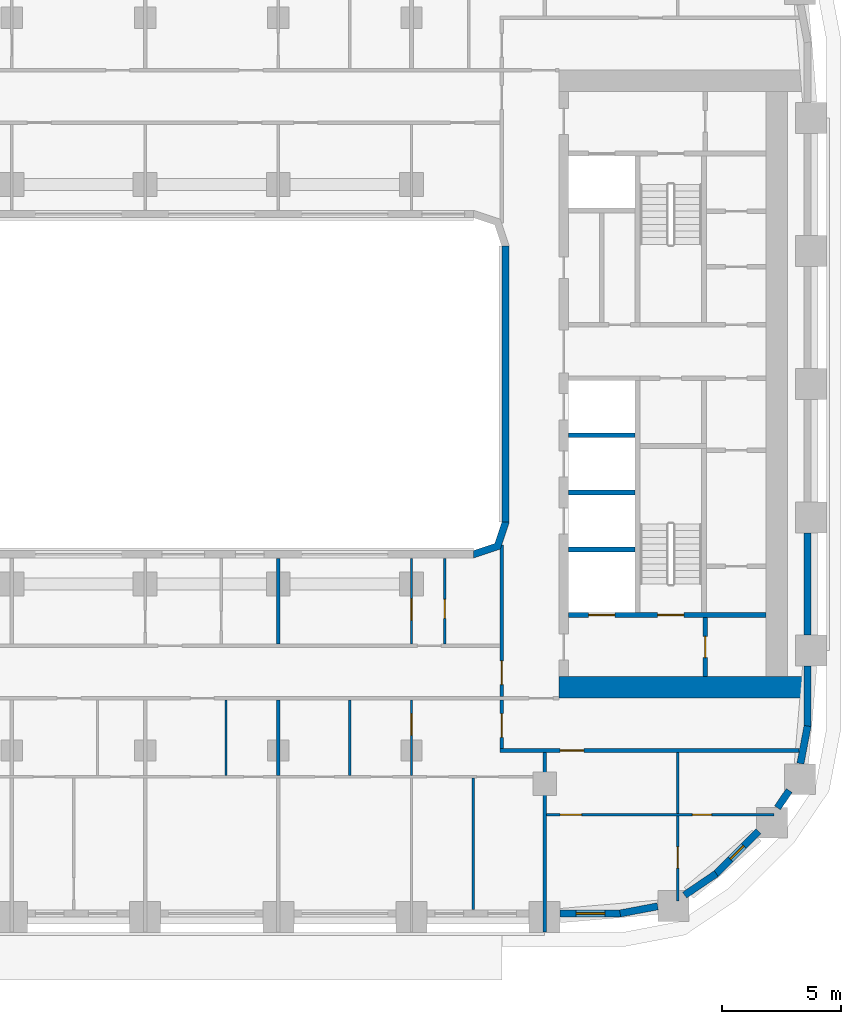
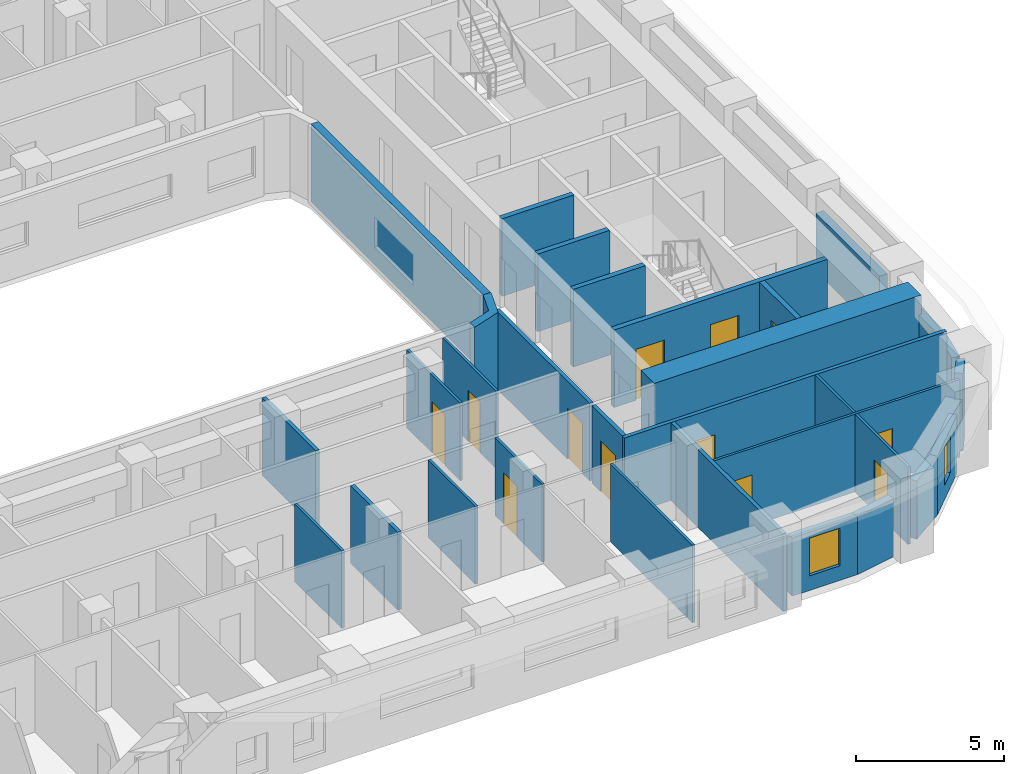
# One storey, part 6 of 22: 31 walls, 12 doors, 2 windows, 14 openings.
"""IFC4 building model written with IfcOpenShell, lengths in metres."""

from ifc_helpers import new_model, si_unit, direction, frame, frame_2d, origin, place, context, subcontext, project, spatial, polyline, rectangle, outline, extrude, material, layer, layer_set, type_object, element, fill, save


model = new_model("IFC4")

# Units and contexts
model_context = context("Model", 3, precision=1e-05, world=origin(), true_north=direction((0.0, 1.0)))
body_context = subcontext(model_context, "Body", "Model", "MODEL_VIEW")
ifc_project = project(units=[si_unit("LENGTHUNIT", "METRE"), si_unit("AREAUNIT", "SQUARE_METRE"), si_unit("VOLUMEUNIT", "CUBIC_METRE"), si_unit("PLANEANGLEUNIT", "RADIAN"), si_unit("MASSUNIT", "GRAM", prefix="KILO")], contexts=[model_context])

# Site, building, storey
site_placement = place(None, origin())
site = spatial("IfcSite", under=ifc_project, at=site_placement, CompositionType="ELEMENT")
building_placement = place(site_placement, origin())
building = spatial("IfcBuilding", under=site, at=building_placement, Name="Kiln Ring Residences", CompositionType="ELEMENT")
storey_placement = place(building_placement, frame((0.0, 0.0, 90.300048828125)))
storey = spatial("IfcBuildingStorey", under=building, at=storey_placement, Name="L22", CompositionType="ELEMENT", Elevation=90.300048828125)

# Wall, opening, door
ifc_material_1 = material(Name="Gypsum board on steel studs", Category="steel")
ifc_layer_1 = layer(ifc_material_1, 0.199951171875)
ifc_layer_set_1 = layer_set([ifc_layer_1], Name="CORE-PARTITION-200")
wall_type_1 = type_object("IfcWallType", Name="CORE-PARTITION-200", PredefinedType="PARTITIONING", material=ifc_layer_set_1)
wall_1_placement = place(storey_placement, frame((23.550048828125, -12.300048828125, 0.0), z_axis=(0.0, 0.0, 1.0), x_axis=(0.0, 1.0, 0.0)))
wall_1 = element("IfcWall", 1, at=wall_1_placement, inside=storey, type_object=wall_type_1, Name="Core partition east L22 5", PredefinedType="PARTITIONING", context=body_context, shape_type="SweptSolid", body=[
    extrude(rectangle(XDim=2.5, YDim=0.199951171875, at=frame_2d((1.25, 0.0))), origin(), (0.0, 0.0, 1.0), 3.199951171875),
])
opening_1_placement = place(wall_1_placement, frame((0.800048828125, 0.0, 0.0)))
opening_1 = element("IfcOpeningElement", 2, at=opening_1_placement, cuts=wall_1, Name="Opening L22-CE11", PredefinedType="OPENING", context=body_context, shape_type="SweptSolid", body=[
    extrude(rectangle(XDim=0.89990234375, YDim=2.10009765625, at=frame_2d((0.449951171875, 1.050048828125))), frame((0.0, 0.10986328125, 0.0), z_axis=(0.0, -1.0, 0.0), x_axis=(1.0, 0.0, 0.0)), (0.0, 0.0, 1.0), 0.219970703125),
])
ifc_material_2 = material(Name="Steel door leaf", Category="steel")
door_type_1 = type_object("IfcDoorType", Name="CORE-DOOR-ROOM", OperationType="SINGLE_SWING_LEFT", PredefinedType="DOOR", material=ifc_material_2)
door_1_placement = place(opening_1_placement, origin())
door_1 = element("IfcDoor", 3, at=door_1_placement, inside=storey, type_object=door_type_1, Name="Store L22-CE11", OperationType="SINGLE_SWING_RIGHT", OverallHeight=2.10009765625, OverallWidth=0.89990234375, PredefinedType="DOOR", context=body_context, shape_type="SweptSolid", body=[
    extrude(rectangle(XDim=0.89990234375, YDim=2.10009765625, at=frame_2d((0.449951171875, 1.050048828125))), frame((0.0, 0.02490234375, 0.0), z_axis=(0.0, -1.0, 0.0), x_axis=(1.0, 0.0, 0.0)), (0.0, 0.0, 1.0), 0.050048828125),
])
fill(opening_1, door_1)

# Walls
ifc_material_3 = material(Name="Gypsum shaft wall system")
ifc_layer_2 = layer(ifc_material_3, 0.199951171875)
ifc_layer_set_2 = layer_set([ifc_layer_2], Name="CORE-SHAFT-WALL-200")
wall_type_2 = type_object("IfcWallType", Name="CORE-SHAFT-WALL-200", PredefinedType="PARTITIONING", material=ifc_layer_set_2)
for number, where, z_axis, x_axis, name in (
    (4, (17.800048828125, -6.949951171875, 0.0), (0.0, 0.0, 1.0), (1.0, 0.0, 0.0), "Core partition east L22 10"),
    (5, (17.800048828125, -4.550048828125, 0.0), (0.0, 0.0, 1.0), (1.0, 0.0, 0.0), "Core partition east L22 11"),
    (6, (17.800048828125, -2.14990234375, 0.0), (0.0, 0.0, 1.0), (1.0, 0.0, 0.0), "Core partition east L22 12"),
):
    element("IfcWall", number, at=place(storey_placement, frame(where, z_axis=z_axis, x_axis=x_axis)), inside=storey, type_object=wall_type_2, Name=name, PredefinedType="PARTITIONING", context=body_context, shape_type="SweptSolid", body=[
        extrude(rectangle(XDim=2.800048828125, YDim=0.199951171875, at=frame_2d((1.39990234375, 0.0))), origin(), (0.0, 0.0, 1.0), 3.199951171875),
    ])

# Wall, openings, doors
ifc_material_4 = material(Name="Concrete C40/50", Category="concrete")
ifc_layer_3 = layer(ifc_material_4, 0.199951171875)
ifc_layer_set_3 = layer_set([ifc_layer_3], Name="CORE-WALL-RC200")
wall_type_3 = type_object("IfcWallType", Name="CORE-WALL-RC200", PredefinedType="SHEAR", material=ifc_layer_set_3)
wall_2_placement = place(storey_placement, frame((17.800048828125, -9.699951171875, 0.0), z_axis=(0.0, 0.0, 1.0), x_axis=(1.0, 0.0, 0.0)))
wall_2 = element("IfcWall", 7, at=wall_2_placement, inside=storey, type_object=wall_type_3, Name="Core wall east L22 8", PredefinedType="SHEAR", context=body_context, shape_type="SweptSolid", body=[
    extrude(rectangle(XDim=8.300048828125, YDim=0.199951171875, at=frame_2d((4.14990234375, 0.0))), origin(), (0.0, 0.0, 1.0), 3.199951171875),
])
opening_2_placement = place(wall_2_placement, frame((0.85009765625, 0.0, 0.0)))
opening_2 = element("IfcOpeningElement", 8, at=opening_2_placement, cuts=wall_2, Name="Opening L22-CE01", PredefinedType="OPENING", context=body_context, shape_type="SweptSolid", body=[
    extrude(rectangle(XDim=1.10009765625, YDim=2.10009765625, at=frame_2d((0.550048828125, 1.050048828125))), frame((0.0, 0.10986328125, 0.0), z_axis=(0.0, -1.0, 0.0), x_axis=(1.0, 0.0, 0.0)), (0.0, 0.0, 1.0), 0.219970703125),
])
opening_3_placement = place(wall_2_placement, frame((3.75, 0.0, 0.0)))
opening_3 = element("IfcOpeningElement", 9, at=opening_3_placement, cuts=wall_2, Name="Opening L22-CE13", PredefinedType="OPENING", context=body_context, shape_type="SweptSolid", body=[
    extrude(rectangle(XDim=1.10009765625, YDim=2.10009765625, at=frame_2d((0.550048828125, 1.050048828125))), frame((0.0, 0.10986328125, 0.0), z_axis=(0.0, -1.0, 0.0), x_axis=(1.0, 0.0, 0.0)), (0.0, 0.0, 1.0), 0.219970703125),
])
ifc_material_5 = material(Name="Steel door leaf", Category="steel")
door_type_2 = type_object("IfcDoorType", Name="CORE-DOOR-LD", OperationType="DOUBLE_DOOR_SLIDING", PredefinedType="DOOR", material=ifc_material_5)
door_2_placement = place(opening_2_placement, origin())
door_2 = element("IfcDoor", 10, at=door_2_placement, inside=storey, type_object=door_type_2, Name="LD E-SV L22-CE01", OperationType="DOUBLE_DOOR_SLIDING", OverallHeight=2.10009765625, OverallWidth=1.10009765625, PredefinedType="DOOR", context=body_context, shape_type="SweptSolid", body=[
    extrude(rectangle(XDim=1.10009765625, YDim=2.10009765625, at=frame_2d((0.550048828125, 1.050048828125))), frame((0.0, 0.02490234375, 0.0), z_axis=(0.0, -1.0, 0.0), x_axis=(1.0, 0.0, 0.0)), (0.0, 0.0, 1.0), 0.050048828125),
])
fill(opening_2, door_2)
ifc_material_6 = material(Name="Steel door leaf", Category="steel")
door_type_3 = type_object("IfcDoorType", Name="CORE-DOOR-STAIR", OperationType="SINGLE_SWING_LEFT", PredefinedType="DOOR", material=ifc_material_6)
door_3_placement = place(opening_3_placement, origin())
door_3 = element("IfcDoor", 11, at=door_3_placement, inside=storey, type_object=door_type_3, Name="Stair E-STS L22-CE13", OperationType="SINGLE_SWING_LEFT", OverallHeight=2.10009765625, OverallWidth=1.10009765625, PredefinedType="DOOR", context=body_context, shape_type="SweptSolid", body=[
    extrude(rectangle(XDim=1.10009765625, YDim=2.10009765625, at=frame_2d((0.550048828125, 1.050048828125))), frame((0.0, 0.02490234375, 0.0), z_axis=(0.0, -1.0, 0.0), x_axis=(1.0, 0.0, 0.0)), (0.0, 0.0, 1.0), 0.050048828125),
])
fill(opening_3, door_3)

# Wall
ifc_material_7 = material(Name="Concrete C60/75", Category="concrete")
ifc_layer_4 = layer(ifc_material_7, 0.89990234375)
ifc_layer_set_4 = layer_set([ifc_layer_4], Name="CORE-WALL-RC900")
wall_type_4 = type_object("IfcWallType", Name="CORE-WALL-RC900", PredefinedType="SHEAR", material=ifc_layer_set_4)
wall_3_placement = place(storey_placement, frame((17.39990234375, -12.75, 0.0), z_axis=(0.0, 0.0, 1.0), x_axis=(1.0, 0.0, 0.0)))
element("IfcWall", 12, at=wall_3_placement, inside=storey, type_object=wall_type_4, Name="Core wall east L22 5", PredefinedType="SHEAR", context=body_context, shape_type="SweptSolid", body=[
    extrude(rectangle(XDim=10.400146484375, YDim=0.89990234375, at=frame_2d((5.2001953125, 0.0))), origin(), (0.0, 0.0, 1.0), 3.199951171875),
])

# Wall, opening, window
ifc_material_8 = material(Name="Brick masonry, dark clay brick", Category="masonry")
ifc_layer_5 = layer(ifc_material_8, 0.300048828125)
ifc_layer_set_5 = layer_set([ifc_layer_5], Name="EW-300 BRICK WALL")
wall_type_5 = type_object("IfcWallType", Name="EW-300 BRICK WALL", PredefinedType="SOLIDWALL", material=ifc_layer_set_5)
wall_4_placement = place(storey_placement, frame((17.449951171875, -22.25, 0.0), z_axis=(0.0, 0.0, 1.0), x_axis=(1.0, 0.0, 0.0)))
wall_4 = element("IfcWall", 13, at=wall_4_placement, inside=storey, type_object=wall_type_5, Name="Facade wall L22 11", PredefinedType="SOLIDWALL", context=body_context, shape_type="SweptSolid", body=[
    extrude(rectangle(XDim=2.550048828125, YDim=0.300048828125, at=frame_2d((1.27490234375, 0.0))), origin(), (0.0, 0.0, 1.0), 2.39990234375),
])
opening_4_placement = place(wall_4_placement, frame((0.675048828125, 0.0, 0.60009765625)))
opening_4 = element("IfcOpeningElement", 14, at=opening_4_placement, cuts=wall_4, Name="Opening W1", PredefinedType="OPENING", context=body_context, shape_type="SweptSolid", body=[
    extrude(rectangle(XDim=1.199951171875, YDim=1.550048828125, at=frame_2d((0.60009765625, 0.77490234375))), frame((0.0, 0.159912109375, 0.0), z_axis=(0.0, -1.0, 0.0), x_axis=(1.0, 0.0, 0.0)), (0.0, 0.0, 1.0), 0.320068359375),
])
ifc_material_9 = material(Name="Aluminium frame with double glazing", Category="aluminium")
window_type_1 = type_object("IfcWindowType", Name="WINDOW 1200 x 1550", PartitioningType="SINGLE_PANEL", PredefinedType="WINDOW", material=ifc_material_9)
window_1_placement = place(opening_4_placement, origin())
window_1 = element("IfcWindow", 15, at=window_1_placement, inside=storey, type_object=window_type_1, Name="Window L22 13", OverallHeight=1.550048828125, OverallWidth=1.199951171875, PartitioningType="SINGLE_PANEL", PredefinedType="WINDOW", context=body_context, shape_type="SweptSolid", body=[
    extrude(rectangle(XDim=1.199951171875, YDim=1.550048828125, at=frame_2d((0.60009765625, 0.77490234375))), frame((0.0, 0.030029296875, 0.0), z_axis=(0.0, -1.0, 0.0), x_axis=(1.0, 0.0, 0.0)), (0.0, 0.0, 1.0), 0.06005859375),
])
fill(opening_4, window_1)

# Walls
for number, where, z_axis, x_axis, name in (
    (16, (19.971923828125, -22.252685546875, 0.0), (0.0, 0.0, 1.0), (0.982278644094, 0.187426426519, 0.0), "Facade wall L22 12"),
    (17, (22.684326171875, -21.481689453125, 0.0), (0.0, 0.0, 1.0), (0.82705935865, 0.562114594429, 0.0), "Facade wall L22 13"),
):
    element("IfcWall", number, at=place(storey_placement, frame(where, z_axis=z_axis, x_axis=x_axis)), inside=storey, type_object=wall_type_5, Name=name, PredefinedType="SOLIDWALL", context=body_context, shape_type="SweptSolid", body=[
        extrude(rectangle(XDim=1.606201171875, YDim=0.300048828125, at=frame_2d((0.80322265625, 0.0))), origin(), (0.0, 0.0, 1.0), 2.39990234375),
    ])

# Wall, opening, window
wall_5_placement = place(storey_placement, frame((23.990966796875, -20.596923828125, 0.0), z_axis=(0.0, 0.0, 1.0), x_axis=(0.707106781187, 0.707106781187, 0.0)))
wall_5 = element("IfcWall", 18, at=wall_5_placement, inside=storey, type_object=wall_type_5, Name="Facade wall L22 14", PredefinedType="SOLIDWALL", context=body_context, shape_type="SweptSolid", body=[
    extrude(rectangle(XDim=2.550048828125, YDim=0.300048828125, at=frame_2d((1.27490234375, 0.0))), origin(), (0.0, 0.0, 1.0), 2.39990234375),
])
opening_5_placement = place(wall_5_placement, frame((0.875, 0.0, 0.60009765625)))
opening_5 = element("IfcOpeningElement", 19, at=opening_5_placement, cuts=wall_5, Name="Opening W5", PredefinedType="OPENING", context=body_context, shape_type="SweptSolid", body=[
    extrude(rectangle(XDim=0.800048828125, YDim=1.550048828125, at=frame_2d((0.39990234375, 0.77490234375))), frame((0.0, 0.159912109375, 0.0), z_axis=(0.0, -1.0, 0.0), x_axis=(1.0, 0.0, 0.0)), (0.0, 0.0, 1.0), 0.320068359375),
])
ifc_material_10 = material(Name="Aluminium frame with double glazing", Category="aluminium")
window_type_2 = type_object("IfcWindowType", Name="WINDOW 800 x 1550", PartitioningType="SINGLE_PANEL", PredefinedType="WINDOW", material=ifc_material_10)
window_2_placement = place(opening_5_placement, origin())
window_2 = element("IfcWindow", 20, at=window_2_placement, inside=storey, type_object=window_type_2, Name="Window L22 14", OverallHeight=1.550048828125, OverallWidth=0.800048828125, PartitioningType="SINGLE_PANEL", PredefinedType="WINDOW", context=body_context, shape_type="SweptSolid", body=[
    extrude(rectangle(XDim=0.800048828125, YDim=1.550048828125, at=frame_2d((0.39990234375, 0.77490234375))), frame((0.0, 0.030029296875, 0.0), z_axis=(0.0, -1.0, 0.0), x_axis=(1.0, 0.0, 0.0)), (0.0, 0.0, 1.0), 0.06005859375),
])
fill(opening_5, window_2)

# Walls
wall_6_placement = place(storey_placement, frame((26.588623046875, -17.809814453125, 0.0), z_axis=(0.0, 0.0, 1.0), x_axis=(0.562066330934, 0.827092159091, 0.0)))
element("IfcWall", 21, at=wall_6_placement, inside=storey, type_object=wall_type_5, Name="Facade wall L22 15", PredefinedType="SOLIDWALL", context=body_context, shape_type="SweptSolid", body=[
    extrude(rectangle(XDim=0.876953125, YDim=0.300048828125, at=frame_2d((0.4384765625, 0.0))), origin(), (0.0, 0.0, 1.0), 3.199951171875),
])
wall_7_placement = place(storey_placement, frame((27.5517578125, -15.949462890625, 0.0), z_axis=(0.0, 0.0, 1.0), x_axis=(0.187279751651, 0.982306619453, 0.0)))
element("IfcWall", 22, at=wall_7_placement, inside=storey, type_object=wall_type_5, Name="Facade wall L22 16", PredefinedType="SOLIDWALL", context=body_context, shape_type="SweptSolid", body=[
    extrude(rectangle(XDim=1.60595703125, YDim=0.300048828125, at=frame_2d((0.802978515625, 0.0))), origin(), (0.0, 0.0, 1.0), 2.39990234375),
])
wall_8_placement = place(storey_placement, frame((27.85009765625, -14.39990234375, 0.0), z_axis=(0.0, 0.0, 1.0), x_axis=(0.0, 1.0, 0.0)))
element("IfcWall", 23, at=wall_8_placement, inside=storey, type_object=wall_type_5, Name="Facade wall L22 17", PredefinedType="SOLIDWALL", context=body_context, shape_type="SweptSolid", body=[
    extrude(rectangle(XDim=2.5498046875, YDim=0.300048828125, at=frame_2d((1.27490234375, 0.0))), origin(), (0.0, 0.0, 1.0), 2.39990234375),
])
wall_9_placement = place(storey_placement, frame((27.85009765625, -10.550048828125, 0.0), z_axis=(0.0, 0.0, 1.0), x_axis=(0.0, 1.0, 0.0)))
element("IfcWall", 24, at=wall_9_placement, inside=storey, type_object=wall_type_5, Name="Facade wall L22 18", PredefinedType="SOLIDWALL", context=body_context, shape_type="SweptSolid", body=[
    extrude(rectangle(XDim=4.300048828125, YDim=0.300048828125, at=frame_2d((2.14990234375, 0.0))), origin(), (0.0, 0.0, 1.0), 2.39990234375),
])
wall_10_placement = place(storey_placement, frame((15.14990234375, 5.800048828125, 0.0), z_axis=(0.0, 0.0, 1.0), x_axis=(0.0, -1.0, 0.0)))
element("IfcWall", 25, at=wall_10_placement, inside=storey, type_object=wall_type_5, Name="Facade wall L22 51", PredefinedType="SOLIDWALL", context=body_context, shape_type="SweptSolid", body=[
    extrude(rectangle(XDim=11.60009765625, YDim=0.300048828125, at=frame_2d((5.800048828125, 0.0))), origin(), (0.0, 0.0, 1.0), 3.199951171875),
])
wall_11_placement = place(storey_placement, origin())
element("IfcWall", 26, at=wall_11_placement, inside=storey, type_object=wall_type_5, Name="Corner wall L22 3", PredefinedType="SOLIDWALL", context=body_context, shape_type="SweptSolid", body=[
    extrude(outline(polyline([(14.937255859375, -6.937255859375), (15.300048828125, -5.8486328125), (15.300048828125, -5.800048828125), (15.0, -5.800048828125), (14.699951171875, -6.699951171875), (13.800048828125, -7.0), (13.800048828125, -7.300048828125), (13.8486328125, -7.300048828125), (14.937255859375, -6.937255859375)])), origin(), (0.0, 0.0, 1.0), 3.199951171875),
])

# Wall, openings, doors
ifc_material_11 = material(Name="Gypsum board on steel studs", Category="steel")
ifc_layer_6 = layer(ifc_material_11, 0.10009765625)
ifc_layer_set_6 = layer_set([ifc_layer_6], Name="PARTITION-100")
wall_type_6 = type_object("IfcWallType", Name="PARTITION-100", PredefinedType="PARTITIONING", material=ifc_layer_set_6)
wall_12_placement = place(storey_placement, frame((16.875, -18.10009765625, 0.0), z_axis=(0.0, 0.0, 1.0), x_axis=(1.0, 0.0, 0.0)))
wall_12 = element("IfcWall", 27, at=wall_12_placement, inside=storey, type_object=wall_type_6, Name="Partition 000", PredefinedType="PARTITIONING", context=body_context, shape_type="SweptSolid", body=[
    extrude(rectangle(XDim=9.56494140625, YDim=0.10009765625, at=frame_2d((4.782470703125, 0.0))), origin(), (0.0, 0.0, 1.0), 3.199951171875),
])
opening_6_placement = place(wall_12_placement, frame((6.138916015625, 0.0, 0.0)))
opening_6 = element("IfcOpeningElement", 28, at=opening_6_placement, cuts=wall_12, Name="Opening L22-D074", PredefinedType="OPENING", context=body_context, shape_type="SweptSolid", body=[
    extrude(rectangle(XDim=0.800048828125, YDim=2.10009765625, at=frame_2d((0.39990234375, 1.050048828125))), frame((0.0, 0.06005859375, 0.0), z_axis=(0.0, -1.0, 0.0), x_axis=(1.0, 0.0, 0.0)), (0.0, 0.0, 1.0), 0.1201171875),
])
opening_7_placement = place(wall_12_placement, frame((0.574951171875, 0.0, 0.0)))
opening_7 = element("IfcOpeningElement", 29, at=opening_7_placement, cuts=wall_12, Name="Opening L22-D075", PredefinedType="OPENING", context=body_context, shape_type="SweptSolid", body=[
    extrude(rectangle(XDim=0.89990234375, YDim=2.10009765625, at=frame_2d((0.449951171875, 1.050048828125))), frame((0.0, 0.06005859375, 0.0), z_axis=(0.0, -1.0, 0.0), x_axis=(1.0, 0.0, 0.0)), (0.0, 0.0, 1.0), 0.1201171875),
])
ifc_material_12 = material(Name="Timber door leaf", Category="wood")
door_type_4 = type_object("IfcDoorType", Name="FLAT-DOOR-800-PL", OperationType="SINGLE_SWING_LEFT", PredefinedType="DOOR", material=ifc_material_12)
door_4_placement = place(opening_6_placement, origin())
door_4 = element("IfcDoor", 30, at=door_4_placement, inside=storey, type_object=door_type_4, Name="Door L22-D074", OperationType="SINGLE_SWING_RIGHT", OverallHeight=2.10009765625, OverallWidth=0.800048828125, PredefinedType="DOOR", context=body_context, shape_type="SweptSolid", body=[
    extrude(rectangle(XDim=0.800048828125, YDim=2.10009765625, at=frame_2d((0.39990234375, 1.050048828125))), frame((0.0, 0.02490234375, 0.0), z_axis=(0.0, -1.0, 0.0), x_axis=(1.0, 0.0, 0.0)), (0.0, 0.0, 1.0), 0.050048828125),
])
fill(opening_6, door_4)
ifc_material_13 = material(Name="Timber door leaf", Category="wood")
door_type_5 = type_object("IfcDoorType", Name="FLAT-DOOR-900-PL", OperationType="SINGLE_SWING_LEFT", PredefinedType="DOOR", material=ifc_material_13)
door_5_placement = place(opening_7_placement, origin())
door_5 = element("IfcDoor", 31, at=door_5_placement, inside=storey, type_object=door_type_5, Name="Door L22-D075", OperationType="SINGLE_SWING_LEFT", OverallHeight=2.10009765625, OverallWidth=0.89990234375, PredefinedType="DOOR", context=body_context, shape_type="SweptSolid", body=[
    extrude(rectangle(XDim=0.89990234375, YDim=2.10009765625, at=frame_2d((0.449951171875, 1.050048828125))), frame((0.0, 0.02490234375, 0.0), z_axis=(0.0, -1.0, 0.0), x_axis=(1.0, 0.0, 0.0)), (0.0, 0.0, 1.0), 0.050048828125),
])
fill(opening_7, door_5)

# Walls
for number, where, z_axis, x_axis, name in (
    (32, (3.39990234375, -16.449951171875, 0.0), (0.0, 0.0, 1.0), (0.0, 1.0, 0.0), "Partition 055"),
    (33, (8.60009765625, -16.449951171875, 0.0), (0.0, 0.0, 1.0), (0.0, 1.0, 0.0), "Partition 062"),
):
    element("IfcWall", number, at=place(storey_placement, frame(where, z_axis=z_axis, x_axis=x_axis)), inside=storey, type_object=wall_type_6, Name=name, PredefinedType="PARTITIONING", context=body_context, shape_type="SweptSolid", body=[
        extrude(rectangle(XDim=3.175048828125, YDim=0.10009765625, at=frame_2d((1.58740234375, 0.0))), origin(), (0.0, 0.0, 1.0), 3.199951171875),
    ])

# Wall, opening, door
wall_13_placement = place(storey_placement, frame((11.199951171875, -16.449951171875, 0.0), z_axis=(0.0, 0.0, 1.0), x_axis=(0.0, 1.0, 0.0)))
wall_13 = element("IfcWall", 34, at=wall_13_placement, inside=storey, type_object=wall_type_6, Name="Partition 065", PredefinedType="PARTITIONING", context=body_context, shape_type="SweptSolid", body=[
    extrude(rectangle(XDim=3.175048828125, YDim=0.10009765625, at=frame_2d((1.58740234375, 0.0))), origin(), (0.0, 0.0, 1.0), 3.199951171875),
])
opening_8_placement = place(wall_13_placement, frame((1.698974609375, 0.0, 0.0)))
opening_8 = element("IfcOpeningElement", 35, at=opening_8_placement, cuts=wall_13, Name="Opening L22-D068", PredefinedType="OPENING", context=body_context, shape_type="SweptSolid", body=[
    extrude(rectangle(XDim=0.89990234375, YDim=2.10009765625, at=frame_2d((0.449951171875, 1.050048828125))), frame((0.0, 0.06005859375, 0.0), z_axis=(0.0, -1.0, 0.0), x_axis=(1.0, 0.0, 0.0)), (0.0, 0.0, 1.0), 0.1201171875),
])
door_6_placement = place(opening_8_placement, origin())
door_6 = element("IfcDoor", 36, at=door_6_placement, inside=storey, type_object=door_type_5, Name="Door L22-D068", OperationType="SINGLE_SWING_LEFT", OverallHeight=2.10009765625, OverallWidth=0.89990234375, PredefinedType="DOOR", context=body_context, shape_type="SweptSolid", body=[
    extrude(rectangle(XDim=0.89990234375, YDim=2.10009765625, at=frame_2d((0.449951171875, 1.050048828125))), frame((0.0, 0.02490234375, 0.0), z_axis=(0.0, -1.0, 0.0), x_axis=(1.0, 0.0, 0.0)), (0.0, 0.0, 1.0), 0.050048828125),
])
fill(opening_8, door_6)

wall_14_placement = place(storey_placement, frame((11.199951171875, -10.925048828125, 0.0), z_axis=(0.0, 0.0, 1.0), x_axis=(0.0, 1.0, 0.0)))
wall_14 = element("IfcWall", 37, at=wall_14_placement, inside=storey, type_object=wall_type_6, Name="Partition 066", PredefinedType="PARTITIONING", context=body_context, shape_type="SweptSolid", body=[
    extrude(rectangle(XDim=3.60498046875, YDim=0.10009765625, at=frame_2d((1.802490234375, 0.0))), origin(), (0.0, 0.0, 1.0), 3.199951171875),
])
opening_9_placement = place(wall_14_placement, frame((1.0048828125, 0.0, 0.0)))
opening_9 = element("IfcOpeningElement", 38, at=opening_9_placement, cuts=wall_14, Name="Opening L22-D051", PredefinedType="OPENING", context=body_context, shape_type="SweptSolid", body=[
    extrude(rectangle(XDim=0.89990234375, YDim=2.10009765625, at=frame_2d((0.449951171875, 1.050048828125))), frame((0.0, 0.06005859375, 0.0), z_axis=(0.0, -1.0, 0.0), x_axis=(1.0, 0.0, 0.0)), (0.0, 0.0, 1.0), 0.1201171875),
])
door_7_placement = place(opening_9_placement, origin())
door_7 = element("IfcDoor", 39, at=door_7_placement, inside=storey, type_object=door_type_5, Name="Door L22-D051", OperationType="SINGLE_SWING_RIGHT", OverallHeight=2.10009765625, OverallWidth=0.89990234375, PredefinedType="DOOR", context=body_context, shape_type="SweptSolid", body=[
    extrude(rectangle(XDim=0.89990234375, YDim=2.10009765625, at=frame_2d((0.449951171875, 1.050048828125))), frame((0.0, 0.02490234375, 0.0), z_axis=(0.0, -1.0, 0.0), x_axis=(1.0, 0.0, 0.0)), (0.0, 0.0, 1.0), 0.050048828125),
])
fill(opening_9, door_7)

wall_15_placement = place(storey_placement, frame((12.60009765625, -10.925048828125, 0.0), z_axis=(0.0, 0.0, 1.0), x_axis=(0.0, 1.0, 0.0)))
wall_15 = element("IfcWall", 40, at=wall_15_placement, inside=storey, type_object=wall_type_6, Name="Partition 070", PredefinedType="PARTITIONING", context=body_context, shape_type="SweptSolid", body=[
    extrude(rectangle(XDim=3.60498046875, YDim=0.10009765625, at=frame_2d((1.802490234375, 0.0))), origin(), (0.0, 0.0, 1.0), 3.199951171875),
])
opening_10_placement = place(wall_15_placement, frame((1.075927734375, 0.0, 0.0)))
opening_10 = element("IfcOpeningElement", 41, at=opening_10_placement, cuts=wall_15, Name="Opening L22-D050", PredefinedType="OPENING", context=body_context, shape_type="SweptSolid", body=[
    extrude(rectangle(XDim=0.800048828125, YDim=2.10009765625, at=frame_2d((0.39990234375, 1.050048828125))), frame((0.0, 0.06005859375, 0.0), z_axis=(0.0, -1.0, 0.0), x_axis=(1.0, 0.0, 0.0)), (0.0, 0.0, 1.0), 0.1201171875),
])
door_8_placement = place(opening_10_placement, origin())
door_8 = element("IfcDoor", 42, at=door_8_placement, inside=storey, type_object=door_type_4, Name="Door L22-D050", OperationType="SINGLE_SWING_LEFT", OverallHeight=2.10009765625, OverallWidth=0.800048828125, PredefinedType="DOOR", context=body_context, shape_type="SweptSolid", body=[
    extrude(rectangle(XDim=0.800048828125, YDim=2.10009765625, at=frame_2d((0.39990234375, 1.050048828125))), frame((0.0, 0.02490234375, 0.0), z_axis=(0.0, -1.0, 0.0), x_axis=(1.0, 0.0, 0.0)), (0.0, 0.0, 1.0), 0.050048828125),
])
fill(opening_10, door_8)

# Wall
wall_16_placement = place(storey_placement, frame((13.800048828125, -22.080078125, 0.0), z_axis=(0.0, 0.0, 1.0), x_axis=(0.0, 1.0, 0.0)))
element("IfcWall", 43, at=wall_16_placement, inside=storey, type_object=wall_type_6, Name="Partition 072", PredefinedType="PARTITIONING", context=body_context, shape_type="SweptSolid", body=[
    extrude(rectangle(XDim=5.530029296875, YDim=0.10009765625, at=frame_2d((2.76513671875, 0.0))), origin(), (0.0, 0.0, 1.0), 3.199951171875),
])

# Wall, opening, door
wall_17_placement = place(storey_placement, frame((22.39990234375, -21.719970703125, 0.0), z_axis=(0.0, 0.0, 1.0), x_axis=(0.0, 1.0, 0.0)))
wall_17 = element("IfcWall", 44, at=wall_17_placement, inside=storey, type_object=wall_type_6, Name="Partition 080", PredefinedType="PARTITIONING", context=body_context, shape_type="SweptSolid", body=[
    extrude(rectangle(XDim=3.570068359375, YDim=0.10009765625, at=frame_2d((1.78515625, 0.0))), origin(), (0.0, 0.0, 1.0), 3.199951171875),
])
opening_11_placement = place(wall_17_placement, frame((1.3720703125, 0.0, 0.0)))
opening_11 = element("IfcOpeningElement", 45, at=opening_11_placement, cuts=wall_17, Name="Opening L22-D076", PredefinedType="OPENING", context=body_context, shape_type="SweptSolid", body=[
    extrude(rectangle(XDim=0.89990234375, YDim=2.10009765625, at=frame_2d((0.449951171875, 1.050048828125))), frame((0.0, 0.06005859375, 0.0), z_axis=(0.0, -1.0, 0.0), x_axis=(1.0, 0.0, 0.0)), (0.0, 0.0, 1.0), 0.1201171875),
])
door_9_placement = place(opening_11_placement, origin())
door_9 = element("IfcDoor", 46, at=door_9_placement, inside=storey, type_object=door_type_5, Name="Door L22-D076", OperationType="SINGLE_SWING_RIGHT", OverallHeight=2.10009765625, OverallWidth=0.89990234375, PredefinedType="DOOR", context=body_context, shape_type="SweptSolid", body=[
    extrude(rectangle(XDim=0.89990234375, YDim=2.10009765625, at=frame_2d((0.449951171875, 1.050048828125))), frame((0.0, 0.02490234375, 0.0), z_axis=(0.0, -1.0, 0.0), x_axis=(1.0, 0.0, 0.0)), (0.0, 0.0, 1.0), 0.050048828125),
])
fill(opening_11, door_9)

# Wall
wall_18_placement = place(storey_placement, frame((22.39990234375, -18.050048828125, 0.0), z_axis=(0.0, 0.0, 1.0), x_axis=(0.0, 1.0, 0.0)))
element("IfcWall", 47, at=wall_18_placement, inside=storey, type_object=wall_type_6, Name="Partition 081", PredefinedType="PARTITIONING", context=body_context, shape_type="SweptSolid", body=[
    extrude(rectangle(XDim=2.574951171875, YDim=0.10009765625, at=frame_2d((1.28759765625, 0.0))), origin(), (0.0, 0.0, 1.0), 3.199951171875),
])

# Wall, opening, door
ifc_material_14 = material(Name="Brick masonry partition", Category="masonry")
ifc_layer_7 = layer(ifc_material_14, 0.14990234375)
ifc_layer_set_7 = layer_set([ifc_layer_7], Name="PARTITION-150-ei60")
wall_type_7 = type_object("IfcWallType", Name="PARTITION-150-ei60", PredefinedType="PARTITIONING", material=ifc_layer_set_7)
wall_19_placement = place(storey_placement, frame((14.925048828125, -15.39990234375, 0.0), z_axis=(0.0, 0.0, 1.0), x_axis=(1.0, 0.0, 0.0)))
wall_19 = element("IfcWall", 48, at=wall_19_placement, inside=storey, type_object=wall_type_7, Name="Partition 004", PredefinedType="PARTITIONING", context=body_context, shape_type="SweptSolid", body=[
    extrude(rectangle(XDim=12.558837890625, YDim=0.14990234375, at=frame_2d((6.279296875, 0.0))), origin(), (0.0, 0.0, 1.0), 3.199951171875),
])
opening_12_placement = place(wall_19_placement, frame((2.52490234375, 0.0, 0.0)))
opening_12 = element("IfcOpeningElement", 49, at=opening_12_placement, cuts=wall_19, Name="Opening L22-D073", PredefinedType="OPENING", context=body_context, shape_type="SweptSolid", body=[
    extrude(rectangle(XDim=1.0, YDim=2.10009765625, at=frame_2d((0.5, 1.050048828125))), frame((0.0, 0.0849609375, 0.0), z_axis=(0.0, -1.0, 0.0), x_axis=(1.0, 0.0, 0.0)), (0.0, 0.0, 1.0), 0.169921875),
])
ifc_material_15 = material(Name="Steel faced fire door leaf", Category="steel")
door_type_6 = type_object("IfcDoorType", Name="FLAT-DOOR-1000-FR", OperationType="SINGLE_SWING_LEFT", PredefinedType="DOOR", material=ifc_material_15)
door_10_placement = place(opening_12_placement, origin())
door_10 = element("IfcDoor", 50, at=door_10_placement, inside=storey, type_object=door_type_6, Name="Door L22-D073", OperationType="SINGLE_SWING_LEFT", OverallHeight=2.10009765625, OverallWidth=1.0, PredefinedType="DOOR", context=body_context, shape_type="SweptSolid", body=[
    extrude(rectangle(XDim=1.0, YDim=2.10009765625, at=frame_2d((0.5, 1.050048828125))), frame((0.0, 0.02490234375, 0.0), z_axis=(0.0, -1.0, 0.0), x_axis=(1.0, 0.0, 0.0)), (0.0, 0.0, 1.0), 0.050048828125),
])
fill(opening_12, door_10)

# Walls
wall_20_placement = place(storey_placement, frame((5.60009765625, -16.449951171875, 0.0), z_axis=(0.0, 0.0, 1.0), x_axis=(0.0, 1.0, 0.0)))
element("IfcWall", 51, at=wall_20_placement, inside=storey, type_object=wall_type_7, Name="Partition 060", PredefinedType="PARTITIONING", context=body_context, shape_type="SweptSolid", body=[
    extrude(rectangle(XDim=3.175048828125, YDim=0.14990234375, at=frame_2d((1.58740234375, 0.0))), origin(), (0.0, 0.0, 1.0), 3.199951171875),
])
wall_21_placement = place(storey_placement, frame((5.60009765625, -10.925048828125, 0.0), z_axis=(0.0, 0.0, 1.0), x_axis=(0.0, 1.0, 0.0)))
element("IfcWall", 52, at=wall_21_placement, inside=storey, type_object=wall_type_7, Name="Partition 061", PredefinedType="PARTITIONING", context=body_context, shape_type="SweptSolid", body=[
    extrude(rectangle(XDim=3.60498046875, YDim=0.14990234375, at=frame_2d((1.802490234375, 0.0))), origin(), (0.0, 0.0, 1.0), 3.199951171875),
])

# Wall, opening, door
wall_22_placement = place(storey_placement, frame((15.0, -15.324951171875, 0.0), z_axis=(0.0, 0.0, 1.0), x_axis=(0.0, 1.0, 0.0)))
wall_22 = element("IfcWall", 53, at=wall_22_placement, inside=storey, type_object=wall_type_7, Name="Partition 074", PredefinedType="PARTITIONING", context=body_context, shape_type="SweptSolid", body=[
    extrude(rectangle(XDim=2.050048828125, YDim=0.14990234375, at=frame_2d((1.02490234375, 0.0))), origin(), (0.0, 0.0, 1.0), 3.199951171875),
])
opening_13_placement = place(wall_22_placement, frame((0.47412109375, 0.0, 0.0)))
opening_13 = element("IfcOpeningElement", 54, at=opening_13_placement, cuts=wall_22, Name="Opening L22-D067", PredefinedType="OPENING", context=body_context, shape_type="SweptSolid", body=[
    extrude(rectangle(XDim=1.0, YDim=2.10009765625, at=frame_2d((0.5, 1.050048828125))), frame((0.0, 0.0849609375, 0.0), z_axis=(0.0, -1.0, 0.0), x_axis=(1.0, 0.0, 0.0)), (0.0, 0.0, 1.0), 0.169921875),
])
door_11_placement = place(opening_13_placement, origin())
door_11 = element("IfcDoor", 55, at=door_11_placement, inside=storey, type_object=door_type_6, Name="Door L22-D067", OperationType="SINGLE_SWING_LEFT", OverallHeight=2.10009765625, OverallWidth=1.0, PredefinedType="DOOR", context=body_context, shape_type="SweptSolid", body=[
    extrude(rectangle(XDim=1.0, YDim=2.10009765625, at=frame_2d((0.5, 1.050048828125))), frame((0.0, 0.02490234375, 0.0), z_axis=(0.0, -1.0, 0.0), x_axis=(1.0, 0.0, 0.0)), (0.0, 0.0, 1.0), 0.050048828125),
])
fill(opening_13, door_11)

wall_23_placement = place(storey_placement, frame((15.0, -13.125, 0.0), z_axis=(0.0, 0.0, 1.0), x_axis=(0.0, 1.0, 0.0)))
wall_23 = element("IfcWall", 56, at=wall_23_placement, inside=storey, type_object=wall_type_7, Name="Partition 075", PredefinedType="PARTITIONING", context=body_context, shape_type="SweptSolid", body=[
    extrude(rectangle(XDim=6.356201171875, YDim=0.14990234375, at=frame_2d((3.17822265625, 0.0))), origin(), (0.0, 0.0, 1.0), 3.199951171875),
])
opening_14_placement = place(wall_23_placement, frame((0.49609375, 0.0, 0.0)))
opening_14 = element("IfcOpeningElement", 57, at=opening_14_placement, cuts=wall_23, Name="Opening L22-D006", PredefinedType="OPENING", context=body_context, shape_type="SweptSolid", body=[
    extrude(rectangle(XDim=1.0, YDim=2.10009765625, at=frame_2d((0.5, 1.050048828125))), frame((0.0, 0.0849609375, 0.0), z_axis=(0.0, -1.0, 0.0), x_axis=(1.0, 0.0, 0.0)), (0.0, 0.0, 1.0), 0.169921875),
])
door_12_placement = place(opening_14_placement, origin())
door_12 = element("IfcDoor", 58, at=door_12_placement, inside=storey, type_object=door_type_6, Name="Door L22-D006", OperationType="SINGLE_SWING_LEFT", OverallHeight=2.10009765625, OverallWidth=1.0, PredefinedType="DOOR", context=body_context, shape_type="SweptSolid", body=[
    extrude(rectangle(XDim=1.0, YDim=2.10009765625, at=frame_2d((0.5, 1.050048828125))), frame((0.0, 0.02490234375, 0.0), z_axis=(0.0, -1.0, 0.0), x_axis=(1.0, 0.0, 0.0)), (0.0, 0.0, 1.0), 0.050048828125),
])
fill(opening_14, door_12)

# Wall
wall_24_placement = place(storey_placement, frame((16.800048828125, -23.030029296875, 0.0), z_axis=(0.0, 0.0, 1.0), x_axis=(0.0, 1.0, 0.0)))
element("IfcWall", 59, at=wall_24_placement, inside=storey, type_object=wall_type_7, Name="Partition 078", PredefinedType="PARTITIONING", context=body_context, shape_type="SweptSolid", body=[
    extrude(rectangle(XDim=7.554931640625, YDim=0.14990234375, at=frame_2d((3.77734375, 0.0))), origin(), (0.0, 0.0, 1.0), 3.199951171875),
])

save(model, "model.ifc")
